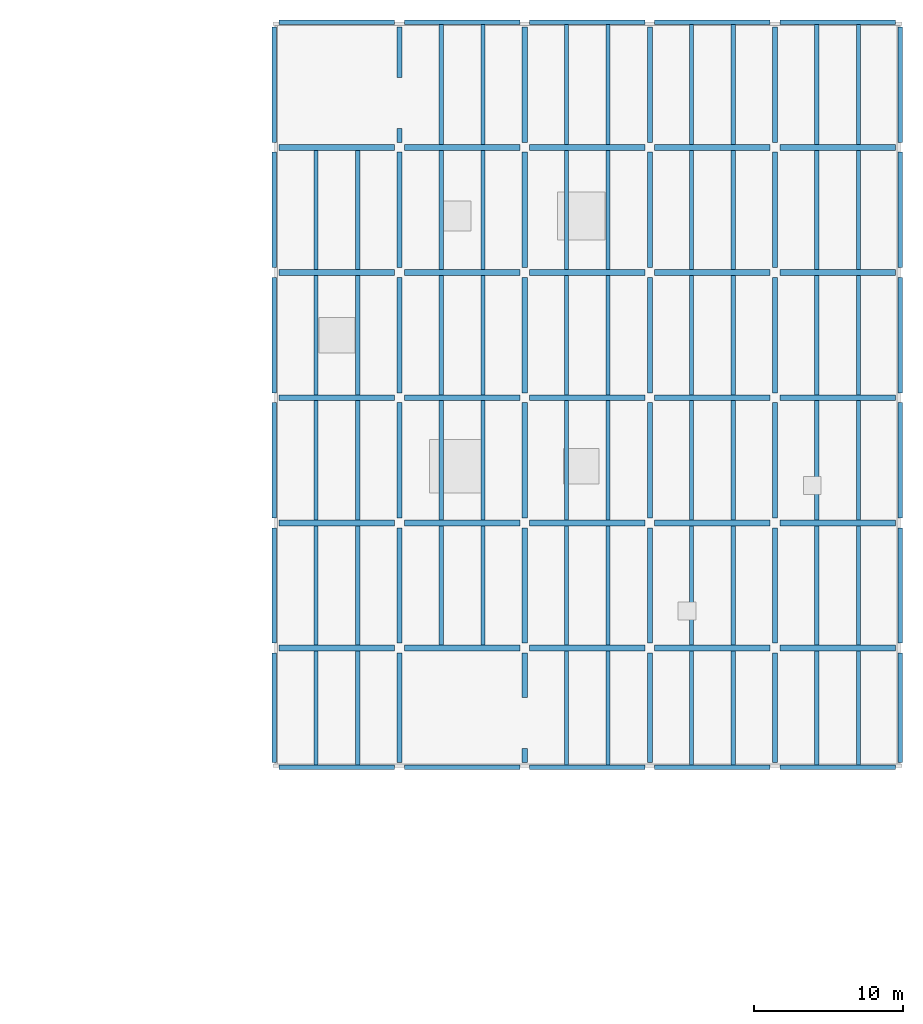
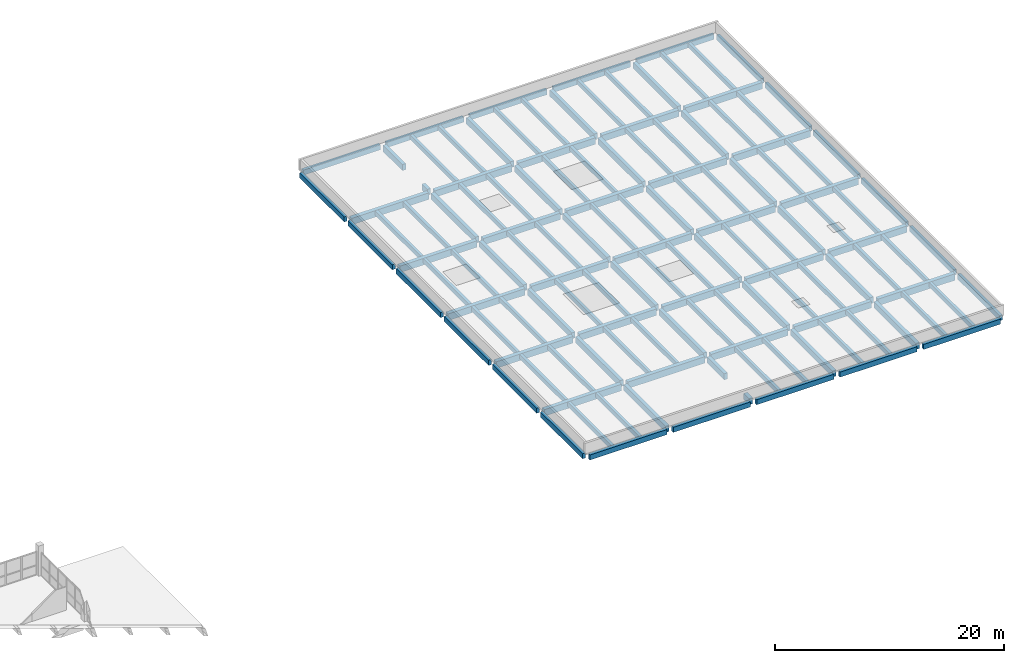
# One storey, part 18 of 24: 129 beams.
"""IFC4 building model written with IfcOpenShell, lengths in metres."""

from ifc_helpers import new_model, si_unit, direction, frame, origin, origin_2d, place, context, subcontext, project, spatial, rectangle, extrude, material, material_profile, profile_set, type_object, element, save


model = new_model("IFC4")

# Units and contexts
model_context = context("Model", 3, precision=1e-05, world=origin(), true_north=direction((0.0, 1.0)))
body_context = subcontext(model_context, "Body", "Model", "MODEL_VIEW")
ifc_project = project(units=[si_unit("LENGTHUNIT", "METRE"), si_unit("AREAUNIT", "SQUARE_METRE"), si_unit("VOLUMEUNIT", "CUBIC_METRE"), si_unit("PLANEANGLEUNIT", "RADIAN"), si_unit("MASSUNIT", "GRAM", prefix="KILO"), si_unit("THERMODYNAMICTEMPERATUREUNIT", "KELVIN"), si_unit("POWERUNIT", "WATT")], contexts=[model_context])

# Site, building, storey
site_placement = place(None, origin())
site = spatial("IfcSite", under=ifc_project, at=site_placement, CompositionType="ELEMENT")
building_placement = place(site_placement, origin())
building = spatial("IfcBuilding", under=site, at=building_placement, Name="Mavoryth Pier Ferry Terminal", CompositionType="ELEMENT")
storey_placement = place(building_placement, frame((0.0, 0.0, 16.320068359375)))
storey = spatial("IfcBuildingStorey", under=building, at=storey_placement, Name="L04", CompositionType="ELEMENT", Elevation=16.320068359375)

# Beams
ifc_material = material(Name="Concrete C35/45", Category="concrete")
ifc_material_profile_1 = material_profile(ifc_material, rectangle(XDim=0.35009765625, YDim=0.64990234375, at=origin_2d()), Name="RC 350x650", Category="concrete")
ifc_profile_set_1 = profile_set([ifc_material_profile_1], Name="Concrete C35/45 - RC 350x650")
beam_type_1 = type_object("IfcBeamType", Name="Girder-RC-350x650", PredefinedType="BEAM", material=ifc_profile_set_1)
beam_1_placement = place(storey_placement, frame((134.39990234375, 14.324951171875, -0.485107421875), z_axis=(0.0, 1.0, 0.0), x_axis=(-1.0, 0.0, 0.0)))
element("IfcBeam", 1, at=beam_1_placement, inside=storey, type_object=beam_type_1, Name="Beam B04-BG07-1369", PredefinedType="BEAM", context=body_context, shape_type="SweptSolid", body=[
    extrude(rectangle(XDim=0.35009765625, YDim=0.64990234375, at=origin_2d()), origin(), (0.0, 0.0, 1.0), 7.35009765625),
])
for number, where, z_axis, x_axis, name in (
    (2, (134.39990234375, 22.324951171875, -0.485107421875), (0.0, 1.0, 0.0), (-1.0, 0.0, 0.0), "Beam B04-BG07-1370"),
    (3, (134.39990234375, 30.72509765625, -0.485107421875), (0.0, 1.0, 0.0), (-1.0, 0.0, 0.0), "Beam B04-BG07-1371"),
    (4, (134.39990234375, 39.125, -0.485107421875), (0.0, 1.0, 0.0), (-1.0, 0.0, 0.0), "Beam B04-BG07-1372"),
    (5, (134.39990234375, 47.52490234375, -0.485107421875), (0.0, 1.0, 0.0), (-1.0, 0.0, 0.0), "Beam B04-BG07-1373"),
):
    element("IfcBeam", number, at=place(storey_placement, frame(where, z_axis=z_axis, x_axis=x_axis)), inside=storey, type_object=beam_type_1, Name=name, PredefinedType="BEAM", context=body_context, shape_type="SweptSolid", body=[
        extrude(rectangle(XDim=0.35009765625, YDim=0.64990234375, at=origin_2d()), origin(), (0.0, 0.0, 1.0), 7.75),
    ])
beam_2_placement = place(storey_placement, frame((134.39990234375, 55.925048828125, -0.485107421875), z_axis=(0.0, 1.0, 0.0), x_axis=(-1.0, 0.0, 0.0)))
element("IfcBeam", 6, at=beam_2_placement, inside=storey, type_object=beam_type_1, Name="Beam B04-BG07-1374", PredefinedType="BEAM", context=body_context, shape_type="SweptSolid", body=[
    extrude(rectangle(XDim=0.35009765625, YDim=0.64990234375, at=origin_2d()), origin(), (0.0, 0.0, 1.0), 0.945068359375),
])
beam_3_placement = place(storey_placement, frame((134.39990234375, 60.280029296875, -0.485107421875), z_axis=(0.0, 1.0, 0.0), x_axis=(-1.0, 0.0, 0.0)))
element("IfcBeam", 7, at=beam_3_placement, inside=storey, type_object=beam_type_1, Name="Beam B04-BG07-1375", PredefinedType="BEAM", context=body_context, shape_type="SweptSolid", body=[
    extrude(rectangle(XDim=0.35009765625, YDim=0.64990234375, at=origin_2d()), origin(), (0.0, 0.0, 1.0), 3.39501953125),
])
beam_4_placement = place(storey_placement, frame((142.800048828125, 14.324951171875, -0.485107421875), z_axis=(0.0, 1.0, 0.0), x_axis=(-1.0, 0.0, 0.0)))
element("IfcBeam", 8, at=beam_4_placement, inside=storey, type_object=beam_type_1, Name="Beam B04-BG07-1376", PredefinedType="BEAM", context=body_context, shape_type="SweptSolid", body=[
    extrude(rectangle(XDim=0.35009765625, YDim=0.64990234375, at=origin_2d()), origin(), (0.0, 0.0, 1.0), 0.945068359375),
])
beam_5_placement = place(storey_placement, frame((142.800048828125, 18.679931640625, -0.485107421875), z_axis=(0.0, 1.0, 0.0), x_axis=(-1.0, 0.0, 0.0)))
element("IfcBeam", 9, at=beam_5_placement, inside=storey, type_object=beam_type_1, Name="Beam B04-BG07-1377", PredefinedType="BEAM", context=body_context, shape_type="SweptSolid", body=[
    extrude(rectangle(XDim=0.35009765625, YDim=0.64990234375, at=origin_2d()), origin(), (0.0, 0.0, 1.0), 2.9951171875),
])
for number, where, z_axis, x_axis, name in (
    (10, (142.800048828125, 22.324951171875, -0.485107421875), (0.0, 1.0, 0.0), (-1.0, 0.0, 0.0), "Beam B04-BG07-1378"),
    (11, (142.800048828125, 30.72509765625, -0.485107421875), (0.0, 1.0, 0.0), (-1.0, 0.0, 0.0), "Beam B04-BG07-1379"),
    (12, (142.800048828125, 39.125, -0.485107421875), (0.0, 1.0, 0.0), (-1.0, 0.0, 0.0), "Beam B04-BG07-1380"),
    (13, (142.800048828125, 47.52490234375, -0.485107421875), (0.0, 1.0, 0.0), (-1.0, 0.0, 0.0), "Beam B04-BG07-1381"),
    (14, (142.800048828125, 55.925048828125, -0.485107421875), (0.0, 1.0, 0.0), (-1.0, 0.0, 0.0), "Beam B04-BG07-1382"),
):
    element("IfcBeam", number, at=place(storey_placement, frame(where, z_axis=z_axis, x_axis=x_axis)), inside=storey, type_object=beam_type_1, Name=name, PredefinedType="BEAM", context=body_context, shape_type="SweptSolid", body=[
        extrude(rectangle(XDim=0.35009765625, YDim=0.64990234375, at=origin_2d()), origin(), (0.0, 0.0, 1.0), 7.75),
    ])
beam_6_placement = place(storey_placement, frame((151.199951171875, 14.324951171875, -0.485107421875), z_axis=(0.0, 1.0, 0.0), x_axis=(-1.0, 0.0, 0.0)))
element("IfcBeam", 15, at=beam_6_placement, inside=storey, type_object=beam_type_1, Name="Beam B04-BG07-1383", PredefinedType="BEAM", context=body_context, shape_type="SweptSolid", body=[
    extrude(rectangle(XDim=0.35009765625, YDim=0.64990234375, at=origin_2d()), origin(), (0.0, 0.0, 1.0), 7.35009765625),
])
for number, where, z_axis, x_axis, name in (
    (16, (151.199951171875, 22.324951171875, -0.485107421875), (0.0, 1.0, 0.0), (-1.0, 0.0, 0.0), "Beam B04-BG07-1384"),
    (17, (151.199951171875, 30.72509765625, -0.485107421875), (0.0, 1.0, 0.0), (-1.0, 0.0, 0.0), "Beam B04-BG07-1385"),
    (18, (151.199951171875, 39.125, -0.485107421875), (0.0, 1.0, 0.0), (-1.0, 0.0, 0.0), "Beam B04-BG07-1386"),
    (19, (151.199951171875, 47.52490234375, -0.485107421875), (0.0, 1.0, 0.0), (-1.0, 0.0, 0.0), "Beam B04-BG07-1387"),
    (20, (151.199951171875, 55.925048828125, -0.485107421875), (0.0, 1.0, 0.0), (-1.0, 0.0, 0.0), "Beam B04-BG07-1388"),
):
    element("IfcBeam", number, at=place(storey_placement, frame(where, z_axis=z_axis, x_axis=x_axis)), inside=storey, type_object=beam_type_1, Name=name, PredefinedType="BEAM", context=body_context, shape_type="SweptSolid", body=[
        extrude(rectangle(XDim=0.35009765625, YDim=0.64990234375, at=origin_2d()), origin(), (0.0, 0.0, 1.0), 7.75),
    ])
beam_7_placement = place(storey_placement, frame((159.60009765625, 14.324951171875, -0.485107421875), z_axis=(0.0, 1.0, 0.0), x_axis=(-1.0, 0.0, 0.0)))
element("IfcBeam", 21, at=beam_7_placement, inside=storey, type_object=beam_type_1, Name="Beam B04-BG07-1389", PredefinedType="BEAM", context=body_context, shape_type="SweptSolid", body=[
    extrude(rectangle(XDim=0.35009765625, YDim=0.64990234375, at=origin_2d()), origin(), (0.0, 0.0, 1.0), 7.35009765625),
])
for number, where, z_axis, x_axis, name in (
    (22, (159.60009765625, 22.324951171875, -0.485107421875), (0.0, 1.0, 0.0), (-1.0, 0.0, 0.0), "Beam B04-BG07-1390"),
    (23, (159.60009765625, 30.72509765625, -0.485107421875), (0.0, 1.0, 0.0), (-1.0, 0.0, 0.0), "Beam B04-BG07-1391"),
    (24, (159.60009765625, 39.125, -0.485107421875), (0.0, 1.0, 0.0), (-1.0, 0.0, 0.0), "Beam B04-BG07-1392"),
    (25, (159.60009765625, 47.52490234375, -0.485107421875), (0.0, 1.0, 0.0), (-1.0, 0.0, 0.0), "Beam B04-BG07-1393"),
    (26, (159.60009765625, 55.925048828125, -0.485107421875), (0.0, 1.0, 0.0), (-1.0, 0.0, 0.0), "Beam B04-BG07-1394"),
):
    element("IfcBeam", number, at=place(storey_placement, frame(where, z_axis=z_axis, x_axis=x_axis)), inside=storey, type_object=beam_type_1, Name=name, PredefinedType="BEAM", context=body_context, shape_type="SweptSolid", body=[
        extrude(rectangle(XDim=0.35009765625, YDim=0.64990234375, at=origin_2d()), origin(), (0.0, 0.0, 1.0), 7.75),
    ])
ifc_material_profile_2 = material_profile(ifc_material, rectangle(XDim=0.39990234375, YDim=0.699951171875, at=origin_2d()), Name="RC 400x700", Category="concrete")
ifc_profile_set_2 = profile_set([ifc_material_profile_2], Name="Concrete C35/45 - RC 400x700")
beam_type_2 = type_object("IfcBeamType", Name="Girder-RC-400x700", PredefinedType="BEAM", material=ifc_profile_set_2)
for number, where, z_axis, x_axis, name in (
    (27, (126.324951171875, 22.0, -0.510009765625), (1.0, 0.0, 0.0), (0.0, 1.0, 0.0), "Beam B04-BG04-1333"),
    (28, (134.72509765625, 22.0, -0.510009765625), (1.0, 0.0, 0.0), (0.0, 1.0, 0.0), "Beam B04-BG04-1334"),
    (29, (143.125, 22.0, -0.510009765625), (1.0, 0.0, 0.0), (0.0, 1.0, 0.0), "Beam B04-BG04-1335"),
    (30, (151.52490234375, 22.0, -0.510009765625), (1.0, 0.0, 0.0), (0.0, 1.0, 0.0), "Beam B04-BG04-1336"),
    (31, (159.925048828125, 22.0, -0.510009765625), (1.0, 0.0, 0.0), (0.0, 1.0, 0.0), "Beam B04-BG04-1337"),
    (32, (126.324951171875, 30.39990234375, -0.510009765625), (1.0, 0.0, 0.0), (0.0, 1.0, 0.0), "Beam B04-BG04-1338"),
    (33, (134.72509765625, 30.39990234375, -0.510009765625), (1.0, 0.0, 0.0), (0.0, 1.0, 0.0), "Beam B04-BG04-1339"),
    (34, (143.125, 30.39990234375, -0.510009765625), (1.0, 0.0, 0.0), (0.0, 1.0, 0.0), "Beam B04-BG04-1340"),
    (35, (151.52490234375, 30.39990234375, -0.510009765625), (1.0, 0.0, 0.0), (0.0, 1.0, 0.0), "Beam B04-BG04-1341"),
    (36, (159.925048828125, 30.39990234375, -0.510009765625), (1.0, 0.0, 0.0), (0.0, 1.0, 0.0), "Beam B04-BG04-1342"),
    (37, (126.324951171875, 38.800048828125, -0.510009765625), (1.0, 0.0, 0.0), (0.0, 1.0, 0.0), "Beam B04-BG04-1343"),
    (38, (134.72509765625, 38.800048828125, -0.510009765625), (1.0, 0.0, 0.0), (0.0, 1.0, 0.0), "Beam B04-BG04-1344"),
    (39, (143.125, 38.800048828125, -0.510009765625), (1.0, 0.0, 0.0), (0.0, 1.0, 0.0), "Beam B04-BG04-1345"),
    (40, (151.52490234375, 38.800048828125, -0.510009765625), (1.0, 0.0, 0.0), (0.0, 1.0, 0.0), "Beam B04-BG04-1346"),
    (41, (159.925048828125, 38.800048828125, -0.510009765625), (1.0, 0.0, 0.0), (0.0, 1.0, 0.0), "Beam B04-BG04-1347"),
    (42, (126.324951171875, 47.199951171875, -0.510009765625), (1.0, 0.0, 0.0), (0.0, 1.0, 0.0), "Beam B04-BG04-1348"),
    (43, (134.72509765625, 47.199951171875, -0.510009765625), (1.0, 0.0, 0.0), (0.0, 1.0, 0.0), "Beam B04-BG04-1349"),
    (44, (143.125, 47.199951171875, -0.510009765625), (1.0, 0.0, 0.0), (0.0, 1.0, 0.0), "Beam B04-BG04-1350"),
    (45, (151.52490234375, 47.199951171875, -0.510009765625), (1.0, 0.0, 0.0), (0.0, 1.0, 0.0), "Beam B04-BG04-1351"),
    (46, (159.925048828125, 47.199951171875, -0.510009765625), (1.0, 0.0, 0.0), (0.0, 1.0, 0.0), "Beam B04-BG04-1352"),
    (47, (126.324951171875, 55.60009765625, -0.510009765625), (1.0, 0.0, 0.0), (0.0, 1.0, 0.0), "Beam B04-BG04-1353"),
    (48, (134.72509765625, 55.60009765625, -0.510009765625), (1.0, 0.0, 0.0), (0.0, 1.0, 0.0), "Beam B04-BG04-1354"),
    (49, (143.125, 55.60009765625, -0.510009765625), (1.0, 0.0, 0.0), (0.0, 1.0, 0.0), "Beam B04-BG04-1355"),
    (50, (151.52490234375, 55.60009765625, -0.510009765625), (1.0, 0.0, 0.0), (0.0, 1.0, 0.0), "Beam B04-BG04-1356"),
    (51, (159.925048828125, 55.60009765625, -0.510009765625), (1.0, 0.0, 0.0), (0.0, 1.0, 0.0), "Beam B04-BG04-1357"),
):
    element("IfcBeam", number, at=place(storey_placement, frame(where, z_axis=z_axis, x_axis=x_axis)), inside=storey, type_object=beam_type_2, Name=name, PredefinedType="BEAM", context=body_context, shape_type="SweptSolid", body=[
        extrude(rectangle(XDim=0.39990234375, YDim=0.699951171875, at=origin_2d()), origin(), (0.0, 0.0, 1.0), 7.75),
    ])
ifc_material_profile_3 = material_profile(ifc_material, rectangle(XDim=0.280029296875, YDim=0.47998046875, at=origin_2d()), Name="RC 280x480", Category="concrete")
ifc_profile_set_3 = profile_set([ifc_material_profile_3], Name="Concrete C35/45 - RC 280x480")
beam_type_3 = type_object("IfcBeamType", Name="Joist-RC-280x480", PredefinedType="JOIST", material=ifc_profile_set_3)
for number, where, z_axis, x_axis, name in (
    (52, (128.800048828125, 14.14990234375, -0.400146484375), (0.0, 1.0, 0.0), (-1.0, 0.0, 0.0), "Beam B04-BJ02-1401"),
    (53, (131.60009765625, 14.14990234375, -0.400146484375), (0.0, 1.0, 0.0), (-1.0, 0.0, 0.0), "Beam B04-BJ02-1402"),
):
    element("IfcBeam", number, at=place(storey_placement, frame(where, z_axis=z_axis, x_axis=x_axis)), inside=storey, type_object=beam_type_3, Name=name, PredefinedType="JOIST", context=body_context, shape_type="SweptSolid", body=[
        extrude(rectangle(XDim=0.280029296875, YDim=0.47998046875, at=origin_2d()), origin(), (0.0, 0.0, 1.0), 7.650146484375),
    ])
for number, where, z_axis, x_axis, name in (
    (54, (128.800048828125, 22.199951171875, -0.400146484375), (0.0, 1.0, 0.0), (-1.0, 0.0, 0.0), "Beam B04-BJ02-1403"),
    (55, (131.60009765625, 22.199951171875, -0.400146484375), (0.0, 1.0, 0.0), (-1.0, 0.0, 0.0), "Beam B04-BJ02-1404"),
    (56, (128.800048828125, 30.60009765625, -0.400146484375), (0.0, 1.0, 0.0), (-1.0, 0.0, 0.0), "Beam B04-BJ02-1405"),
    (57, (131.60009765625, 30.60009765625, -0.400146484375), (0.0, 1.0, 0.0), (-1.0, 0.0, 0.0), "Beam B04-BJ02-1406"),
    (58, (128.800048828125, 39.0, -0.400146484375), (0.0, 1.0, 0.0), (-1.0, 0.0, 0.0), "Beam B04-BJ02-1407"),
    (59, (131.60009765625, 39.0, -0.400146484375), (0.0, 1.0, 0.0), (-1.0, 0.0, 0.0), "Beam B04-BJ02-1408"),
    (60, (128.800048828125, 47.39990234375, -0.400146484375), (0.0, 1.0, 0.0), (-1.0, 0.0, 0.0), "Beam B04-BJ02-1409"),
    (61, (131.60009765625, 47.39990234375, -0.400146484375), (0.0, 1.0, 0.0), (-1.0, 0.0, 0.0), "Beam B04-BJ02-1410"),
    (62, (137.199951171875, 22.199951171875, -0.400146484375), (0.0, 1.0, 0.0), (-1.0, 0.0, 0.0), "Beam B04-BJ02-1411"),
    (63, (140.0, 22.199951171875, -0.400146484375), (0.0, 1.0, 0.0), (-1.0, 0.0, 0.0), "Beam B04-BJ02-1412"),
    (64, (137.199951171875, 30.60009765625, -0.400146484375), (0.0, 1.0, 0.0), (-1.0, 0.0, 0.0), "Beam B04-BJ02-1413"),
    (65, (140.0, 30.60009765625, -0.400146484375), (0.0, 1.0, 0.0), (-1.0, 0.0, 0.0), "Beam B04-BJ02-1414"),
    (66, (137.199951171875, 39.0, -0.400146484375), (0.0, 1.0, 0.0), (-1.0, 0.0, 0.0), "Beam B04-BJ02-1415"),
    (67, (140.0, 39.0, -0.400146484375), (0.0, 1.0, 0.0), (-1.0, 0.0, 0.0), "Beam B04-BJ02-1416"),
    (68, (137.199951171875, 47.39990234375, -0.400146484375), (0.0, 1.0, 0.0), (-1.0, 0.0, 0.0), "Beam B04-BJ02-1417"),
    (69, (140.0, 47.39990234375, -0.400146484375), (0.0, 1.0, 0.0), (-1.0, 0.0, 0.0), "Beam B04-BJ02-1418"),
):
    element("IfcBeam", number, at=place(storey_placement, frame(where, z_axis=z_axis, x_axis=x_axis)), inside=storey, type_object=beam_type_3, Name=name, PredefinedType="JOIST", context=body_context, shape_type="SweptSolid", body=[
        extrude(rectangle(XDim=0.280029296875, YDim=0.47998046875, at=origin_2d()), origin(), (0.0, 0.0, 1.0), 8.0),
    ])
for number, where, z_axis, x_axis, name in (
    (70, (137.199951171875, 55.800048828125, -0.400146484375), (0.0, 1.0, 0.0), (-1.0, 0.0, 0.0), "Beam B04-BJ02-1419"),
    (71, (140.0, 55.800048828125, -0.400146484375), (0.0, 1.0, 0.0), (-1.0, 0.0, 0.0), "Beam B04-BJ02-1420"),
):
    element("IfcBeam", number, at=place(storey_placement, frame(where, z_axis=z_axis, x_axis=x_axis)), inside=storey, type_object=beam_type_3, Name=name, PredefinedType="JOIST", context=body_context, shape_type="SweptSolid", body=[
        extrude(rectangle(XDim=0.280029296875, YDim=0.47998046875, at=origin_2d()), origin(), (0.0, 0.0, 1.0), 8.050048828125),
    ])
for number, where, z_axis, x_axis, name in (
    (72, (145.60009765625, 14.14990234375, -0.400146484375), (0.0, 1.0, 0.0), (-1.0, 0.0, 0.0), "Beam B04-BJ02-1421"),
    (73, (148.39990234375, 14.14990234375, -0.400146484375), (0.0, 1.0, 0.0), (-1.0, 0.0, 0.0), "Beam B04-BJ02-1422"),
):
    element("IfcBeam", number, at=place(storey_placement, frame(where, z_axis=z_axis, x_axis=x_axis)), inside=storey, type_object=beam_type_3, Name=name, PredefinedType="JOIST", context=body_context, shape_type="SweptSolid", body=[
        extrude(rectangle(XDim=0.280029296875, YDim=0.47998046875, at=origin_2d()), origin(), (0.0, 0.0, 1.0), 7.650146484375),
    ])
for number, where, z_axis, x_axis, name in (
    (74, (145.60009765625, 22.199951171875, -0.400146484375), (0.0, 1.0, 0.0), (-1.0, 0.0, 0.0), "Beam B04-BJ02-1423"),
    (75, (148.39990234375, 22.199951171875, -0.400146484375), (0.0, 1.0, 0.0), (-1.0, 0.0, 0.0), "Beam B04-BJ02-1424"),
    (76, (145.60009765625, 30.60009765625, -0.400146484375), (0.0, 1.0, 0.0), (-1.0, 0.0, 0.0), "Beam B04-BJ02-1425"),
    (77, (148.39990234375, 30.60009765625, -0.400146484375), (0.0, 1.0, 0.0), (-1.0, 0.0, 0.0), "Beam B04-BJ02-1426"),
    (78, (145.60009765625, 39.0, -0.400146484375), (0.0, 1.0, 0.0), (-1.0, 0.0, 0.0), "Beam B04-BJ02-1427"),
    (79, (148.39990234375, 39.0, -0.400146484375), (0.0, 1.0, 0.0), (-1.0, 0.0, 0.0), "Beam B04-BJ02-1428"),
    (80, (145.60009765625, 47.39990234375, -0.400146484375), (0.0, 1.0, 0.0), (-1.0, 0.0, 0.0), "Beam B04-BJ02-1429"),
    (81, (148.39990234375, 47.39990234375, -0.400146484375), (0.0, 1.0, 0.0), (-1.0, 0.0, 0.0), "Beam B04-BJ02-1430"),
):
    element("IfcBeam", number, at=place(storey_placement, frame(where, z_axis=z_axis, x_axis=x_axis)), inside=storey, type_object=beam_type_3, Name=name, PredefinedType="JOIST", context=body_context, shape_type="SweptSolid", body=[
        extrude(rectangle(XDim=0.280029296875, YDim=0.47998046875, at=origin_2d()), origin(), (0.0, 0.0, 1.0), 8.0),
    ])
for number, where, z_axis, x_axis, name in (
    (82, (145.60009765625, 55.800048828125, -0.400146484375), (0.0, 1.0, 0.0), (-1.0, 0.0, 0.0), "Beam B04-BJ02-1431"),
    (83, (148.39990234375, 55.800048828125, -0.400146484375), (0.0, 1.0, 0.0), (-1.0, 0.0, 0.0), "Beam B04-BJ02-1432"),
):
    element("IfcBeam", number, at=place(storey_placement, frame(where, z_axis=z_axis, x_axis=x_axis)), inside=storey, type_object=beam_type_3, Name=name, PredefinedType="JOIST", context=body_context, shape_type="SweptSolid", body=[
        extrude(rectangle(XDim=0.280029296875, YDim=0.47998046875, at=origin_2d()), origin(), (0.0, 0.0, 1.0), 8.050048828125),
    ])
for number, where, z_axis, x_axis, name in (
    (84, (154.0, 14.14990234375, -0.400146484375), (0.0, 1.0, 0.0), (-1.0, 0.0, 0.0), "Beam B04-BJ02-1433"),
    (85, (156.800048828125, 14.14990234375, -0.400146484375), (0.0, 1.0, 0.0), (-1.0, 0.0, 0.0), "Beam B04-BJ02-1434"),
):
    element("IfcBeam", number, at=place(storey_placement, frame(where, z_axis=z_axis, x_axis=x_axis)), inside=storey, type_object=beam_type_3, Name=name, PredefinedType="JOIST", context=body_context, shape_type="SweptSolid", body=[
        extrude(rectangle(XDim=0.280029296875, YDim=0.47998046875, at=origin_2d()), origin(), (0.0, 0.0, 1.0), 7.650146484375),
    ])
for number, where, z_axis, x_axis, name in (
    (86, (154.0, 22.199951171875, -0.400146484375), (0.0, 1.0, 0.0), (-1.0, 0.0, 0.0), "Beam B04-BJ02-1435"),
    (87, (156.800048828125, 22.199951171875, -0.400146484375), (0.0, 1.0, 0.0), (-1.0, 0.0, 0.0), "Beam B04-BJ02-1436"),
    (88, (154.0, 30.60009765625, -0.400146484375), (0.0, 1.0, 0.0), (-1.0, 0.0, 0.0), "Beam B04-BJ02-1437"),
    (89, (156.800048828125, 30.60009765625, -0.400146484375), (0.0, 1.0, 0.0), (-1.0, 0.0, 0.0), "Beam B04-BJ02-1438"),
    (90, (154.0, 39.0, -0.400146484375), (0.0, 1.0, 0.0), (-1.0, 0.0, 0.0), "Beam B04-BJ02-1439"),
    (91, (156.800048828125, 39.0, -0.400146484375), (0.0, 1.0, 0.0), (-1.0, 0.0, 0.0), "Beam B04-BJ02-1440"),
    (92, (154.0, 47.39990234375, -0.400146484375), (0.0, 1.0, 0.0), (-1.0, 0.0, 0.0), "Beam B04-BJ02-1441"),
    (93, (156.800048828125, 47.39990234375, -0.400146484375), (0.0, 1.0, 0.0), (-1.0, 0.0, 0.0), "Beam B04-BJ02-1442"),
):
    element("IfcBeam", number, at=place(storey_placement, frame(where, z_axis=z_axis, x_axis=x_axis)), inside=storey, type_object=beam_type_3, Name=name, PredefinedType="JOIST", context=body_context, shape_type="SweptSolid", body=[
        extrude(rectangle(XDim=0.280029296875, YDim=0.47998046875, at=origin_2d()), origin(), (0.0, 0.0, 1.0), 8.0),
    ])
for number, where, z_axis, x_axis, name in (
    (94, (154.0, 55.800048828125, -0.400146484375), (0.0, 1.0, 0.0), (-1.0, 0.0, 0.0), "Beam B04-BJ02-1443"),
    (95, (156.800048828125, 55.800048828125, -0.400146484375), (0.0, 1.0, 0.0), (-1.0, 0.0, 0.0), "Beam B04-BJ02-1444"),
):
    element("IfcBeam", number, at=place(storey_placement, frame(where, z_axis=z_axis, x_axis=x_axis)), inside=storey, type_object=beam_type_3, Name=name, PredefinedType="JOIST", context=body_context, shape_type="SweptSolid", body=[
        extrude(rectangle(XDim=0.280029296875, YDim=0.47998046875, at=origin_2d()), origin(), (0.0, 0.0, 1.0), 8.050048828125),
    ])
for number, where, z_axis, x_axis, name in (
    (96, (162.39990234375, 14.14990234375, -0.400146484375), (0.0, 1.0, 0.0), (-1.0, 0.0, 0.0), "Beam B04-BJ02-1445"),
    (97, (165.199951171875, 14.14990234375, -0.400146484375), (0.0, 1.0, 0.0), (-1.0, 0.0, 0.0), "Beam B04-BJ02-1446"),
):
    element("IfcBeam", number, at=place(storey_placement, frame(where, z_axis=z_axis, x_axis=x_axis)), inside=storey, type_object=beam_type_3, Name=name, PredefinedType="JOIST", context=body_context, shape_type="SweptSolid", body=[
        extrude(rectangle(XDim=0.280029296875, YDim=0.47998046875, at=origin_2d()), origin(), (0.0, 0.0, 1.0), 7.650146484375),
    ])
for number, where, z_axis, x_axis, name in (
    (98, (162.39990234375, 22.199951171875, -0.400146484375), (0.0, 1.0, 0.0), (-1.0, 0.0, 0.0), "Beam B04-BJ02-1447"),
    (99, (165.199951171875, 22.199951171875, -0.400146484375), (0.0, 1.0, 0.0), (-1.0, 0.0, 0.0), "Beam B04-BJ02-1448"),
    (100, (162.39990234375, 30.60009765625, -0.400146484375), (0.0, 1.0, 0.0), (-1.0, 0.0, 0.0), "Beam B04-BJ02-1449"),
    (101, (165.199951171875, 30.60009765625, -0.400146484375), (0.0, 1.0, 0.0), (-1.0, 0.0, 0.0), "Beam B04-BJ02-1450"),
    (102, (162.39990234375, 39.0, -0.400146484375), (0.0, 1.0, 0.0), (-1.0, 0.0, 0.0), "Beam B04-BJ02-1451"),
    (103, (165.199951171875, 39.0, -0.400146484375), (0.0, 1.0, 0.0), (-1.0, 0.0, 0.0), "Beam B04-BJ02-1452"),
    (104, (162.39990234375, 47.39990234375, -0.400146484375), (0.0, 1.0, 0.0), (-1.0, 0.0, 0.0), "Beam B04-BJ02-1453"),
    (105, (165.199951171875, 47.39990234375, -0.400146484375), (0.0, 1.0, 0.0), (-1.0, 0.0, 0.0), "Beam B04-BJ02-1454"),
):
    element("IfcBeam", number, at=place(storey_placement, frame(where, z_axis=z_axis, x_axis=x_axis)), inside=storey, type_object=beam_type_3, Name=name, PredefinedType="JOIST", context=body_context, shape_type="SweptSolid", body=[
        extrude(rectangle(XDim=0.280029296875, YDim=0.47998046875, at=origin_2d()), origin(), (0.0, 0.0, 1.0), 8.0),
    ])
for number, where, z_axis, x_axis, name in (
    (106, (162.39990234375, 55.800048828125, -0.400146484375), (0.0, 1.0, 0.0), (-1.0, 0.0, 0.0), "Beam B04-BJ02-1455"),
    (107, (165.199951171875, 55.800048828125, -0.400146484375), (0.0, 1.0, 0.0), (-1.0, 0.0, 0.0), "Beam B04-BJ02-1456"),
):
    element("IfcBeam", number, at=place(storey_placement, frame(where, z_axis=z_axis, x_axis=x_axis)), inside=storey, type_object=beam_type_3, Name=name, PredefinedType="JOIST", context=body_context, shape_type="SweptSolid", body=[
        extrude(rectangle(XDim=0.280029296875, YDim=0.47998046875, at=origin_2d()), origin(), (0.0, 0.0, 1.0), 8.050048828125),
    ])
ifc_material_profile_4 = material_profile(ifc_material, rectangle(XDim=0.300048828125, YDim=0.5400390625, at=origin_2d()), Name="RC 300x540", Category="concrete")
ifc_profile_set_4 = profile_set([ifc_material_profile_4], Name="Concrete C35/45 - RC 300x540")
beam_type_4 = type_object("IfcBeamType", Name="Spandrel-RC-300x540", PredefinedType="SPANDREL", material=ifc_profile_set_4)
for number, where, z_axis, x_axis, name in (
    (108, (126.324951171875, 14.0, -0.43017578125), (1.0, 0.0, 0.0), (0.0, 1.0, 0.0), "Beam B04-SP02-1328"),
    (109, (134.72509765625, 14.0, -0.43017578125), (1.0, 0.0, 0.0), (0.0, 1.0, 0.0), "Beam B04-SP02-1329"),
    (110, (143.125, 14.0, -0.43017578125), (1.0, 0.0, 0.0), (0.0, 1.0, 0.0), "Beam B04-SP02-1330"),
    (111, (151.52490234375, 14.0, -0.43017578125), (1.0, 0.0, 0.0), (0.0, 1.0, 0.0), "Beam B04-SP02-1331"),
    (112, (159.925048828125, 14.0, -0.43017578125), (1.0, 0.0, 0.0), (0.0, 1.0, 0.0), "Beam B04-SP02-1332"),
    (113, (126.324951171875, 64.0, -0.43017578125), (1.0, 0.0, 0.0), (0.0, 1.0, 0.0), "Beam B04-SP02-1358"),
    (114, (134.72509765625, 64.0, -0.43017578125), (1.0, 0.0, 0.0), (0.0, 1.0, 0.0), "Beam B04-SP02-1359"),
    (115, (143.125, 64.0, -0.43017578125), (1.0, 0.0, 0.0), (0.0, 1.0, 0.0), "Beam B04-SP02-1360"),
    (116, (151.52490234375, 64.0, -0.43017578125), (1.0, 0.0, 0.0), (0.0, 1.0, 0.0), "Beam B04-SP02-1361"),
    (117, (159.925048828125, 64.0, -0.43017578125), (1.0, 0.0, 0.0), (0.0, 1.0, 0.0), "Beam B04-SP02-1362"),
):
    element("IfcBeam", number, at=place(storey_placement, frame(where, z_axis=z_axis, x_axis=x_axis)), inside=storey, type_object=beam_type_4, Name=name, PredefinedType="SPANDREL", context=body_context, shape_type="SweptSolid", body=[
        extrude(rectangle(XDim=0.300048828125, YDim=0.5400390625, at=origin_2d()), origin(), (0.0, 0.0, 1.0), 7.75),
    ])
beam_8_placement = place(storey_placement, frame((126.0, 14.324951171875, -0.43017578125), z_axis=(0.0, 1.0, 0.0), x_axis=(-1.0, 0.0, 0.0)))
element("IfcBeam", 118, at=beam_8_placement, inside=storey, type_object=beam_type_4, Name="Beam B04-SP02-1363", PredefinedType="SPANDREL", context=body_context, shape_type="SweptSolid", body=[
    extrude(rectangle(XDim=0.300048828125, YDim=0.5400390625, at=origin_2d()), origin(), (0.0, 0.0, 1.0), 7.35009765625),
])
for number, where, z_axis, x_axis, name in (
    (119, (126.0, 22.324951171875, -0.43017578125), (0.0, 1.0, 0.0), (-1.0, 0.0, 0.0), "Beam B04-SP02-1364"),
    (120, (126.0, 30.72509765625, -0.43017578125), (0.0, 1.0, 0.0), (-1.0, 0.0, 0.0), "Beam B04-SP02-1365"),
    (121, (126.0, 39.125, -0.43017578125), (0.0, 1.0, 0.0), (-1.0, 0.0, 0.0), "Beam B04-SP02-1366"),
    (122, (126.0, 47.52490234375, -0.43017578125), (0.0, 1.0, 0.0), (-1.0, 0.0, 0.0), "Beam B04-SP02-1367"),
    (123, (126.0, 55.925048828125, -0.43017578125), (0.0, 1.0, 0.0), (-1.0, 0.0, 0.0), "Beam B04-SP02-1368"),
):
    element("IfcBeam", number, at=place(storey_placement, frame(where, z_axis=z_axis, x_axis=x_axis)), inside=storey, type_object=beam_type_4, Name=name, PredefinedType="SPANDREL", context=body_context, shape_type="SweptSolid", body=[
        extrude(rectangle(XDim=0.300048828125, YDim=0.5400390625, at=origin_2d()), origin(), (0.0, 0.0, 1.0), 7.75),
    ])
beam_9_placement = place(storey_placement, frame((168.0, 14.324951171875, -0.43017578125), z_axis=(0.0, 1.0, 0.0), x_axis=(-1.0, 0.0, 0.0)))
element("IfcBeam", 124, at=beam_9_placement, inside=storey, type_object=beam_type_4, Name="Beam B04-SP02-1395", PredefinedType="SPANDREL", context=body_context, shape_type="SweptSolid", body=[
    extrude(rectangle(XDim=0.300048828125, YDim=0.5400390625, at=origin_2d()), origin(), (0.0, 0.0, 1.0), 7.35009765625),
])
for number, where, z_axis, x_axis, name in (
    (125, (168.0, 22.324951171875, -0.43017578125), (0.0, 1.0, 0.0), (-1.0, 0.0, 0.0), "Beam B04-SP02-1396"),
    (126, (168.0, 30.72509765625, -0.43017578125), (0.0, 1.0, 0.0), (-1.0, 0.0, 0.0), "Beam B04-SP02-1397"),
    (127, (168.0, 39.125, -0.43017578125), (0.0, 1.0, 0.0), (-1.0, 0.0, 0.0), "Beam B04-SP02-1398"),
    (128, (168.0, 47.52490234375, -0.43017578125), (0.0, 1.0, 0.0), (-1.0, 0.0, 0.0), "Beam B04-SP02-1399"),
    (129, (168.0, 55.925048828125, -0.43017578125), (0.0, 1.0, 0.0), (-1.0, 0.0, 0.0), "Beam B04-SP02-1400"),
):
    element("IfcBeam", number, at=place(storey_placement, frame(where, z_axis=z_axis, x_axis=x_axis)), inside=storey, type_object=beam_type_4, Name=name, PredefinedType="SPANDREL", context=body_context, shape_type="SweptSolid", body=[
        extrude(rectangle(XDim=0.300048828125, YDim=0.5400390625, at=origin_2d()), origin(), (0.0, 0.0, 1.0), 7.75),
    ])

save(model, "model.ifc")
